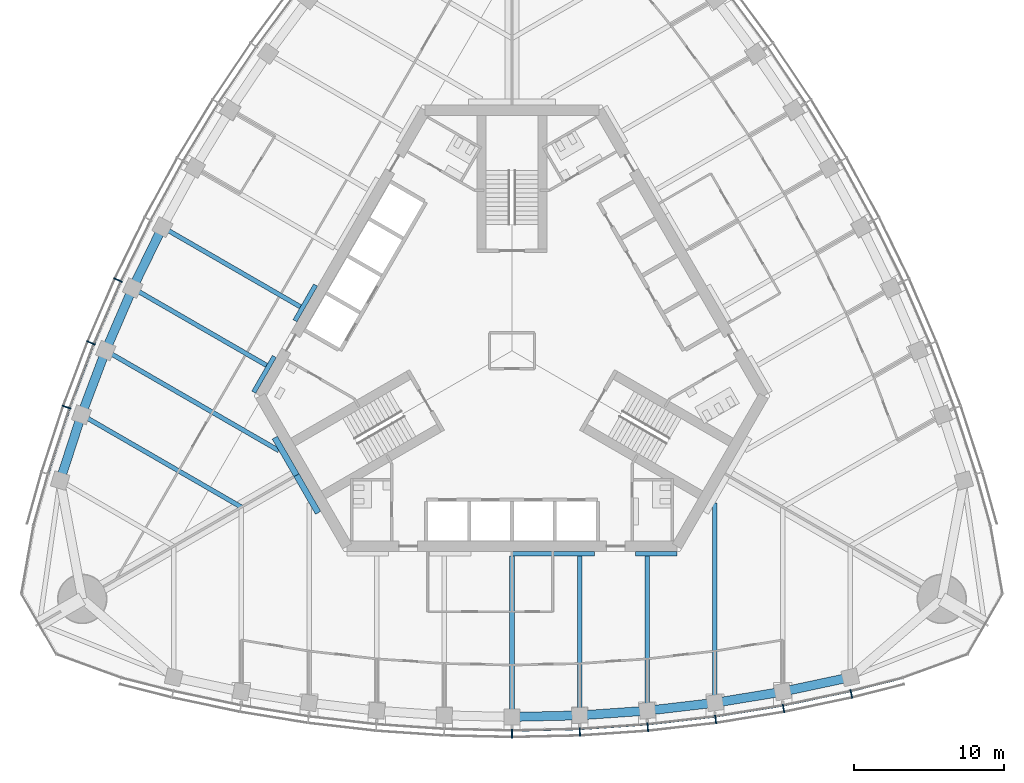
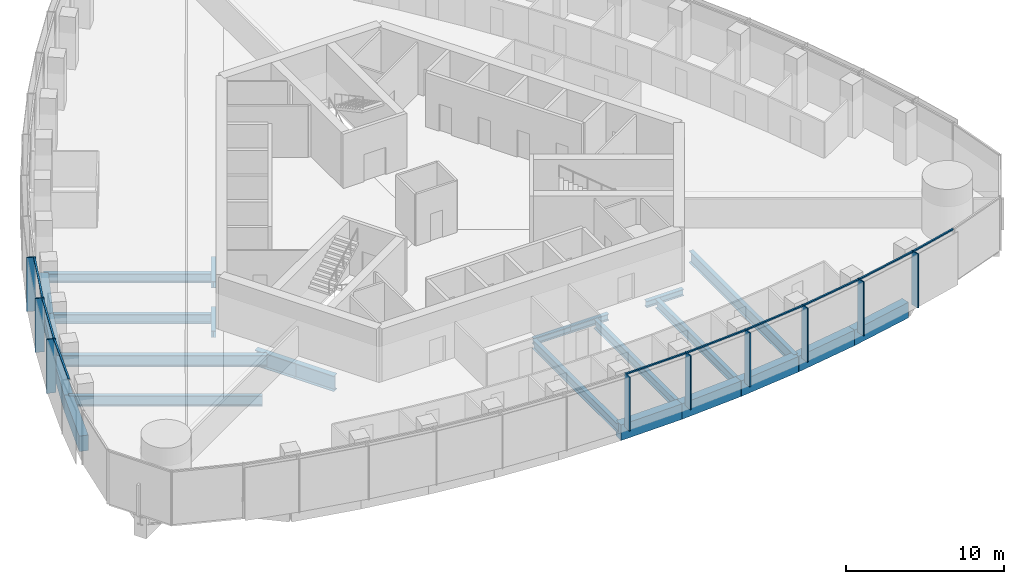
# One storey, part 3 of 20: 24 beams, 18 members, 2 elements without a shape of their own.
"""IFC4 building model written with IfcOpenShell, lengths in metres."""

from ifc_helpers import new_model, si_unit, direction, frame, origin, origin_2d, place, context, subcontext, project, spatial, rectangle, i_section, extrude, material, material_profile, profile_set, type_object, element, aggregate, save


model = new_model("IFC4")

# Units and contexts
model_context = context("Model", 3, precision=1e-05, world=origin(), true_north=direction((0.0, 1.0)))
body_context = subcontext(model_context, "Body", "Model", "MODEL_VIEW")
ifc_project = project(units=[si_unit("LENGTHUNIT", "METRE"), si_unit("AREAUNIT", "SQUARE_METRE"), si_unit("VOLUMEUNIT", "CUBIC_METRE"), si_unit("PLANEANGLEUNIT", "RADIAN"), si_unit("MASSUNIT", "GRAM", prefix="KILO")], contexts=[model_context])

# Site, building, storey
site_placement = place(None, origin())
site = spatial("IfcSite", under=ifc_project, at=site_placement, CompositionType="ELEMENT")
building_placement = place(site_placement, origin())
building = spatial("IfcBuilding", under=site, at=building_placement, Name="Trefoil Bronze Tower", CompositionType="ELEMENT")
storey_placement = place(building_placement, frame((0.0, 0.0, 231.699951171875)))
storey = spatial("IfcBuildingStorey", under=building, at=storey_placement, Name="L53", CompositionType="ELEMENT", Elevation=231.699951171875)

# Curtain wall, members
ifc_material_1 = material(Name="Tinted solar-control glass", Category="glass")
curtain_wall_type = type_object("IfcCurtainWallType", Name="Bronze office curtain wall", PredefinedType="USERDEFINED", material=ifc_material_1)
curtain_wall_1_placement = place(storey_placement, origin())
curtain_wall_1 = element("IfcCurtainWall", 1, at=curtain_wall_1_placement, inside=storey, type_object=curtain_wall_type, Name="CW-A L53 F1", ObjectType="CURTAIN WALL", PredefinedType="USERDEFINED")
ifc_material_2 = material(Name="Bronze-finish aluminium", Category="aluminium")
ifc_material_profile_1 = material_profile(ifc_material_2, rectangle(XDim=0.60009765625, YDim=0.080078125, at=origin_2d()), Name="CW-A mullion")
ifc_profile_set_1 = profile_set([ifc_material_profile_1], Name="Bronze-finish aluminium")
member_type_1 = type_object("IfcMemberType", Name="Bronze office curtain wall mullion", PredefinedType="MULLION", material=ifc_profile_set_1)
member_1_placement = place(storey_placement, frame((0.0, -25.45068359375, 0.0), z_axis=(0.0, 0.0, 1.0), x_axis=(0.0, 1.0, 0.0)))
member_1 = element("IfcMember", 2, at=member_1_placement, type_object=member_type_1, Name="CW-A L53 F1 mullion 7", PredefinedType="MULLION", context=body_context, shape_type="SweptSolid", body=[
    extrude(rectangle(XDim=0.60009765625, YDim=0.080078125, at=origin_2d()), origin(), (0.0, 0.0, 1.0), 4.179931640625),
])
member_2_placement = place(storey_placement, frame((4.513671875, -25.346923828125, 0.0), z_axis=(0.0, 0.0, 1.0), x_axis=(-0.045955542372, 0.998943485952, 0.0)))
member_2 = element("IfcMember", 3, at=member_2_placement, type_object=member_type_1, Name="CW-A L53 F1 mullion 8", PredefinedType="MULLION", context=body_context, shape_type="SweptSolid", body=[
    extrude(rectangle(XDim=0.60009765625, YDim=0.080078125, at=origin_2d()), origin(), (0.0, 0.0, 1.0), 4.179931640625),
])
member_3_placement = place(storey_placement, frame((9.027587890625, -25.03515625, 0.0), z_axis=(0.0, 0.0, 1.0), x_axis=(-0.091911396394, 0.995767189263, 0.0)))
member_3 = element("IfcMember", 4, at=member_3_placement, type_object=member_type_1, Name="CW-A L53 F1 mullion 9", PredefinedType="MULLION", context=body_context, shape_type="SweptSolid", body=[
    extrude(rectangle(XDim=0.60009765625, YDim=0.080078125, at=origin_2d()), origin(), (0.0, 0.0, 1.0), 4.179931640625),
])
member_4_placement = place(storey_placement, frame((13.541259765625, -24.51318359375, 0.0), z_axis=(0.0, 0.0, 1.0), x_axis=(-0.137867887204, 0.990450627582, 0.0)))
member_4 = element("IfcMember", 5, at=member_4_placement, type_object=member_type_1, Name="CW-A L53 F1 mullion 10", PredefinedType="MULLION", context=body_context, shape_type="SweptSolid", body=[
    extrude(rectangle(XDim=0.60009765625, YDim=0.080078125, at=origin_2d()), origin(), (0.0, 0.0, 1.0), 4.179931640625),
])
member_5_placement = place(storey_placement, frame((18.05517578125, -23.77783203125, 0.0), z_axis=(0.0, 0.0, 1.0), x_axis=(-0.183825368167, 0.982958917767, 0.0)))
member_5 = element("IfcMember", 6, at=member_5_placement, type_object=member_type_1, Name="CW-A L53 F1 mullion 11", PredefinedType="MULLION", context=body_context, shape_type="SweptSolid", body=[
    extrude(rectangle(XDim=0.60009765625, YDim=0.080078125, at=origin_2d()), origin(), (0.0, 0.0, 1.0), 4.179931640625),
])
member_6_placement = place(storey_placement, frame((22.568115234375, -22.82421875, 0.0), z_axis=(0.0, 0.0, 1.0), x_axis=(-0.227082662569, 0.973875487093, 0.0)))
member_6 = element("IfcMember", 7, at=member_6_placement, type_object=member_type_1, Name="CW-A L53 F1 mullion 12", PredefinedType="MULLION", context=body_context, shape_type="SweptSolid", body=[
    extrude(rectangle(XDim=0.60009765625, YDim=0.080078125, at=origin_2d()), origin(), (0.0, 0.0, 1.0), 4.179931640625),
])

curtain_wall_2_placement = place(storey_placement, origin())
curtain_wall_2 = element("IfcCurtainWall", 8, at=curtain_wall_2_placement, inside=storey, type_object=curtain_wall_type, Name="CW-A L53 F3", ObjectType="CURTAIN WALL", PredefinedType="USERDEFINED")
member_7_placement = place(storey_placement, frame((-26.19482421875, 4.699462890625, 0.0), z_axis=(0.0, 0.0, 1.0), x_axis=(0.908315380354, -0.418285990457, 0.0)))
member_7 = element("IfcMember", 9, at=member_7_placement, type_object=member_type_1, Name="CW-A L53 F3 mullion 9", PredefinedType="MULLION", context=body_context, shape_type="SweptSolid", body=[
    extrude(rectangle(XDim=0.60009765625, YDim=0.080078125, at=origin_2d()), origin(), (0.0, 0.0, 1.0), 4.179931640625),
])
member_8_placement = place(storey_placement, frame((-27.999755859375, 0.529541015625, 0.0), z_axis=(0.0, 0.0, 1.0), x_axis=(0.926689348282, -0.375828221106, 0.0)))
member_8 = element("IfcMember", 10, at=member_8_placement, type_object=member_type_1, Name="CW-A L53 F3 mullion 10", PredefinedType="MULLION", context=body_context, shape_type="SweptSolid", body=[
    extrude(rectangle(XDim=0.60009765625, YDim=0.080078125, at=origin_2d()), origin(), (0.0, 0.0, 1.0), 4.179931640625),
])
member_9_placement = place(storey_placement, frame((-29.619873046875, -3.747314453125, 0.0), z_axis=(0.0, 0.0, 1.0), x_axis=(0.943180077746, -0.332282020191, 0.0)))
member_9 = element("IfcMember", 11, at=member_9_placement, type_object=member_type_1, Name="CW-A L53 F3 mullion 11", PredefinedType="MULLION", context=body_context, shape_type="SweptSolid", body=[
    extrude(rectangle(XDim=0.60009765625, YDim=0.080078125, at=origin_2d()), origin(), (0.0, 0.0, 1.0), 4.179931640625),
])

# Member
ifc_material_3 = material(Name="Bronze-finish aluminium", Category="aluminium")
ifc_material_profile_2 = material_profile(ifc_material_3, rectangle(XDim=0.1201171875, YDim=0.10009765625, at=origin_2d()), Name="CW-A transom")
ifc_profile_set_2 = profile_set([ifc_material_profile_2], Name="Bronze-finish aluminium")
member_type_2 = type_object("IfcMemberType", Name="Bronze office curtain wall transom", PredefinedType="USERDEFINED", material=ifc_profile_set_2)
member_10_placement = place(storey_placement, frame((0.042236328125, -25.249755859375, 4.130126953125), z_axis=(0.999736131416, 0.022971015226, 0.0), x_axis=(-0.022971015226, 0.999736131416, 0.0)))
member_10 = element("IfcMember", 12, at=member_10_placement, type_object=member_type_2, Name="CW-A L53 F1 transom 7", ObjectType="TRANSOM", PredefinedType="USERDEFINED", context=body_context, shape_type="SweptSolid", body=[
    extrude(rectangle(XDim=0.1201171875, YDim=0.10009765625, at=origin_2d()), origin(), (0.0, 0.0, 1.0), 4.42138671875),
])

member_11_placement = place(storey_placement, frame((4.546875, -25.144287109375, 4.130126953125), z_axis=(0.997621320987, 0.06893257512, 0.0), x_axis=(-0.06893257512, 0.997621320987, 0.0)))
member_11 = element("IfcMember", 13, at=member_11_placement, type_object=member_type_2, Name="CW-A L53 F1 transom 8", ObjectType="TRANSOM", PredefinedType="USERDEFINED", context=body_context, shape_type="SweptSolid", body=[
    extrude(rectangle(XDim=0.1201171875, YDim=0.10009765625, at=origin_2d()), origin(), (0.0, 0.0, 1.0), 4.4306640625),
])

member_12_placement = place(storey_placement, frame((9.05126953125, -24.8310546875, 4.130126953125), z_axis=(0.993384885596, 0.114832352013, 0.0), x_axis=(-0.114832352013, 0.993384885596, 0.0)))
member_12 = element("IfcMember", 14, at=member_12_placement, type_object=member_type_2, Name="CW-A L53 F1 transom 9", ObjectType="TRANSOM", PredefinedType="USERDEFINED", context=body_context, shape_type="SweptSolid", body=[
    extrude(rectangle(XDim=0.1201171875, YDim=0.10009765625, at=origin_2d()), origin(), (0.0, 0.0, 1.0), 4.449951171875),
])

member_13_placement = place(storey_placement, frame((13.5556640625, -24.308349609375, 4.130126953125), z_axis=(0.986988367046, 0.160791676761, 0.0), x_axis=(-0.160791676761, 0.986988367046, 0.0)))
member_13 = element("IfcMember", 15, at=member_13_placement, type_object=member_type_2, Name="CW-A L53 F1 transom 10", ObjectType="TRANSOM", PredefinedType="USERDEFINED", context=body_context, shape_type="SweptSolid", body=[
    extrude(rectangle(XDim=0.1201171875, YDim=0.10009765625, at=origin_2d()), origin(), (0.0, 0.0, 1.0), 4.479248046875),
])

member_14_placement = place(storey_placement, frame((18.059814453125, -23.572509765625, 4.130126953125), z_axis=(0.978395325657, 0.20674280334, 0.0), x_axis=(-0.20674280334, 0.978395325657, 0.0)))
member_14 = element("IfcMember", 16, at=member_14_placement, type_object=member_type_2, Name="CW-A L53 F1 transom 11", ObjectType="TRANSOM", PredefinedType="USERDEFINED", context=body_context, shape_type="SweptSolid", body=[
    extrude(rectangle(XDim=0.1201171875, YDim=0.10009765625, at=origin_2d()), origin(), (0.0, 0.0, 1.0), 4.519287109375),
])

member_15_placement = place(storey_placement, frame((22.5634765625, -22.618896484375, 4.130126953125), z_axis=(0.968935220916, 0.247314653162, 0.0), x_axis=(-0.247314653162, 0.968935220916, 0.0)))
member_15 = element("IfcMember", 17, at=member_15_placement, type_object=member_type_2, Name="CW-A L53 F1 transom 12", ObjectType="TRANSOM", PredefinedType="USERDEFINED", context=body_context, shape_type="SweptSolid", body=[
    extrude(rectangle(XDim=0.1201171875, YDim=0.10009765625, at=origin_2d()), origin(), (0.0, 0.0, 1.0), 3.483642578125),
])

aggregate(curtain_wall_1, [member_1, member_2, member_3, member_4, member_5, member_6, member_10, member_11, member_12, member_13, member_14, member_15])

member_16_placement = place(storey_placement, frame((-26.030029296875, 4.576904296875, 4.130126953125), z_axis=(-0.397220936772, -0.917723012346, 0.0), x_axis=(0.917723012346, -0.397220936772, 0.0)))
member_16 = element("IfcMember", 18, at=member_16_placement, type_object=member_type_2, Name="CW-A L53 F3 transom 9", ObjectType="TRANSOM", PredefinedType="USERDEFINED", context=body_context, shape_type="SweptSolid", body=[
    extrude(rectangle(XDim=0.1201171875, YDim=0.10009765625, at=origin_2d()), origin(), (0.0, 0.0, 1.0), 4.449951171875),
])

member_17_placement = place(storey_placement, frame((-27.829345703125, 0.414794921875, 4.130126953125), z_axis=(-0.354263170896, -0.935145767112, 0.0), x_axis=(0.935145767112, -0.354263170896, 0.0)))
member_17 = element("IfcMember", 19, at=member_17_placement, type_object=member_type_2, Name="CW-A L53 F3 transom 10", ObjectType="TRANSOM", PredefinedType="USERDEFINED", context=body_context, shape_type="SweptSolid", body=[
    extrude(rectangle(XDim=0.1201171875, YDim=0.10009765625, at=origin_2d()), origin(), (0.0, 0.0, 1.0), 4.4794921875),
])

member_18_placement = place(storey_placement, frame((-29.4443359375, -3.85400390625, 4.130126953125), z_axis=(-0.310127806788, -0.950694874004, 0.0), x_axis=(0.950694874004, -0.310127806788, 0.0)))
member_18 = element("IfcMember", 20, at=member_18_placement, type_object=member_type_2, Name="CW-A L53 F3 transom 11", ObjectType="TRANSOM", PredefinedType="USERDEFINED", context=body_context, shape_type="SweptSolid", body=[
    extrude(rectangle(XDim=0.1201171875, YDim=0.10009765625, at=origin_2d()), origin(), (0.0, 0.0, 1.0), 4.51953125),
])

aggregate(curtain_wall_2, [member_7, member_8, member_9, member_16, member_17, member_18])

# Beams
ifc_material_4 = material(Name="Steel C355", Category="steel")
ifc_material_profile_3 = material_profile(ifc_material_4, i_section(OverallWidth=0.300048828125, OverallDepth=0.5, WebThickness=0.014404296875, FlangeThickness=0.028076171875, FilletRadius=0.027099609375, at=origin_2d()), Name="HEB 500")
ifc_profile_set_3 = profile_set([ifc_material_profile_3], Name="Steel C355")
beam_type_1 = type_object("IfcBeamType", Name="Core seat beam HEB 500", PredefinedType="BEAM", material=ifc_profile_set_3)
for number, where, z_axis, x_axis, name in (
    (21, (0.0, -13.5, -0.449951171875), (1.0, 0.0, 0.0), (0.0, 1.0, 0.0), "Core seat beam F1/+0 L53"),
    (22, (2.742431640625, -13.5, -0.449951171875), (1.0, 0.0, 0.0), (0.0, 1.0, 0.0), "Core seat beam F1/+1 L53"),
    (23, (8.227294921875, -13.5, -0.449951171875), (1.0, 0.0, 0.0), (0.0, 1.0, 0.0), "Core seat beam F1/+2 L53"),
    (24, (-13.0625, 4.375, -0.449951171875), (-0.500035825175, -0.866004719122, 0.0), (0.866004719122, -0.500035825175, 0.0), "Core seat beam F3/+1 L53"),
    (25, (-15.804931640625, -0.375, -0.449951171875), (-0.500035825175, -0.866004719122, 0.0), (0.866004719122, -0.500035825175, 0.0), "Core seat beam F3/+2 L53"),
):
    element("IfcBeam", number, at=place(storey_placement, frame(where, z_axis=z_axis, x_axis=x_axis)), inside=storey, type_object=beam_type_1, Name=name, PredefinedType="BEAM", context=body_context, shape_type="SweptSolid", body=[
        extrude(i_section(OverallWidth=0.300048828125, OverallDepth=0.5, WebThickness=0.014404296875, FlangeThickness=0.028076171875, FilletRadius=0.027099609375, at=origin_2d()), origin(), (0.0, 0.0, 1.0), 2.742431640625),
    ])
ifc_material_5 = material(Name="Steel C355", Category="steel")
ifc_material_profile_4 = material_profile(ifc_material_5, i_section(OverallWidth=0.39990234375, OverallDepth=1.199951171875, WebThickness=0.02001953125, FlangeThickness=0.0400390625, FilletRadius=0.010009765625, at=origin_2d()), Name="WPG 1200")
ifc_profile_set_4 = profile_set([ifc_material_profile_4], Name="Steel C355")
beam_type_2 = type_object("IfcBeamType", Name="Core seat beam WPG 1200", PredefinedType="BEAM", material=ifc_profile_set_4)
for number, where, z_axis, x_axis, name in (
    (26, (-14.332763671875, -8.27490234375, -0.800048828125), (0.499995765644, -0.866027848477, 0.0), (0.866027848477, 0.499995765644, 0.0), "Core seat beam F1/-3 L53"),
    (27, (-15.776123046875, -5.77490234375, -0.800048828125), (0.499995765644, -0.866027848477, 0.0), (0.866027848477, 0.499995765644, 0.0), "Core seat beam F3/+3 L53"),
):
    element("IfcBeam", number, at=place(storey_placement, frame(where, z_axis=z_axis, x_axis=x_axis)), inside=storey, type_object=beam_type_2, Name=name, PredefinedType="BEAM", context=body_context, shape_type="SweptSolid", body=[
        extrude(i_section(OverallWidth=0.39990234375, OverallDepth=1.199951171875, WebThickness=0.02001953125, FlangeThickness=0.0400390625, FilletRadius=0.010009765625, at=origin_2d()), origin(), (0.0, 0.0, 1.0), 2.88671875),
    ])
ifc_material_6 = material(Name="Steel C355", Category="steel")
ifc_material_profile_5 = material_profile(ifc_material_6, i_section(OverallWidth=0.300048828125, OverallDepth=0.699951171875, WebThickness=0.01708984375, FlangeThickness=0.031982421875, FilletRadius=0.027099609375, at=origin_2d()), Name="HEB 700")
ifc_profile_set_5 = profile_set([ifc_material_profile_5], Name="Steel C355")
beam_type_3 = type_object("IfcBeamType", Name="Floor beam HEB 700", PredefinedType="BEAM", material=ifc_profile_set_5)
beam_1_placement = place(storey_placement, frame((0.0, -24.3505859375, -0.550048828125), z_axis=(0.0, 1.0, 0.0), x_axis=(-1.0, 0.0, 0.0)))
element("IfcBeam", 28, at=beam_1_placement, inside=storey, type_object=beam_type_3, Name="Floor beam F1/+0 L53", PredefinedType="BEAM", context=body_context, shape_type="SweptSolid", body=[
    extrude(i_section(OverallWidth=0.300048828125, OverallDepth=0.699951171875, WebThickness=0.01708984375, FlangeThickness=0.031982421875, FilletRadius=0.027099609375, at=origin_2d()), origin(), (0.0, 0.0, 1.0), 10.70068359375),
])
beam_2_placement = place(storey_placement, frame((4.5, -24.246337890625, -0.550048828125), z_axis=(0.0, 1.0, 0.0), x_axis=(-1.0, 0.0, 0.0)))
element("IfcBeam", 29, at=beam_2_placement, inside=storey, type_object=beam_type_3, Name="Floor beam F1/+1 L53", PredefinedType="BEAM", context=body_context, shape_type="SweptSolid", body=[
    extrude(i_section(OverallWidth=0.300048828125, OverallDepth=0.699951171875, WebThickness=0.01708984375, FlangeThickness=0.031982421875, FilletRadius=0.027099609375, at=origin_2d()), origin(), (0.0, 0.0, 1.0), 10.596435546875),
])
beam_3_placement = place(storey_placement, frame((9.0, -23.932861328125, -0.550048828125), z_axis=(0.0, 1.0, 0.0), x_axis=(-1.0, 0.0, 0.0)))
element("IfcBeam", 30, at=beam_3_placement, inside=storey, type_object=beam_type_3, Name="Floor beam F1/+2 L53", PredefinedType="BEAM", context=body_context, shape_type="SweptSolid", body=[
    extrude(i_section(OverallWidth=0.300048828125, OverallDepth=0.699951171875, WebThickness=0.01708984375, FlangeThickness=0.031982421875, FilletRadius=0.027099609375, at=origin_2d()), origin(), (0.0, 0.0, 1.0), 10.282958984375),
])
beam_4_placement = place(storey_placement, frame((-23.248046875, 8.22607421875, -0.550048828125), z_axis=(0.86602981261, -0.499992363612, 0.0), x_axis=(0.499992363612, 0.86602981261, 0.0)))
element("IfcBeam", 31, at=beam_4_placement, inside=storey, type_object=beam_type_3, Name="Floor beam F3/+1 L53", PredefinedType="BEAM", context=body_context, shape_type="SweptSolid", body=[
    extrude(i_section(OverallWidth=0.300048828125, OverallDepth=0.699951171875, WebThickness=0.01708984375, FlangeThickness=0.031982421875, FilletRadius=0.027099609375, at=origin_2d()), origin(), (0.0, 0.0, 1.0), 10.596435546875),
])
beam_5_placement = place(storey_placement, frame((-25.2265625, 4.17236328125, -0.550048828125), z_axis=(0.866019527493, -0.500010177898, 0.0), x_axis=(0.500010177898, 0.866019527493, 0.0)))
element("IfcBeam", 32, at=beam_5_placement, inside=storey, type_object=beam_type_3, Name="Floor beam F3/+2 L53", PredefinedType="BEAM", context=body_context, shape_type="SweptSolid", body=[
    extrude(i_section(OverallWidth=0.300048828125, OverallDepth=0.699951171875, WebThickness=0.01708984375, FlangeThickness=0.031982421875, FilletRadius=0.027099609375, at=origin_2d()), origin(), (0.0, 0.0, 1.0), 10.282958984375),
])
ifc_material_7 = material(Name="Steel C355", Category="steel")
ifc_material_profile_6 = material_profile(ifc_material_7, i_section(OverallWidth=0.300048828125, OverallDepth=0.800048828125, WebThickness=0.017578125, FlangeThickness=0.032958984375, FilletRadius=0.030029296875, at=origin_2d()), Name="HEB 800")
ifc_profile_set_6 = profile_set([ifc_material_profile_6], Name="Steel C355")
beam_type_4 = type_object("IfcBeamType", Name="Floor beam HEB 800", PredefinedType="BEAM", material=ifc_profile_set_6)
beam_6_placement = place(storey_placement, frame((-28.632080078125, -4.25390625, -0.599853515625), z_axis=(0.866025635187, -0.499999599199, 0.0), x_axis=(0.499999599199, 0.866025635187, 0.0)))
element("IfcBeam", 33, at=beam_6_placement, inside=storey, type_object=beam_type_4, Name="Floor beam F3/+4 L53", PredefinedType="BEAM", context=body_context, shape_type="SweptSolid", body=[
    extrude(i_section(OverallWidth=0.300048828125, OverallDepth=0.800048828125, WebThickness=0.017578125, FlangeThickness=0.032958984375, FilletRadius=0.030029296875, at=origin_2d()), origin(), (0.0, 0.0, 1.0), 12.27685546875),
])
ifc_material_8 = material(Name="Steel C355", Category="steel")
ifc_material_profile_7 = material_profile(ifc_material_8, i_section(OverallWidth=0.300048828125, OverallDepth=0.89990234375, WebThickness=0.0185546875, FlangeThickness=0.034912109375, FilletRadius=0.030029296875, at=origin_2d()), Name="HEB 900")
ifc_profile_set_7 = profile_set([ifc_material_profile_7], Name="Steel C355")
beam_type_5 = type_object("IfcBeamType", Name="Floor beam HEB 900", PredefinedType="BEAM", material=ifc_profile_set_7)
for number, where, z_axis, x_axis, name in (
    (34, (13.5, -23.408447265625, -0.64990234375), (0.0, 1.0, 0.0), (-1.0, 0.0, 0.0), "Floor beam F1/+3 L53"),
    (35, (-27.022216796875, 0.012939453125, -0.64990234375), (0.866023461342, -0.500003364394, 0.0), (0.500003364394, 0.866023461342, 0.0), "Floor beam F3/+3 L53"),
):
    element("IfcBeam", number, at=place(storey_placement, frame(where, z_axis=z_axis, x_axis=x_axis)), inside=storey, type_object=beam_type_5, Name=name, PredefinedType="BEAM", context=body_context, shape_type="SweptSolid", body=[
        extrude(i_section(OverallWidth=0.300048828125, OverallDepth=0.89990234375, WebThickness=0.0185546875, FlangeThickness=0.034912109375, FilletRadius=0.030029296875, at=origin_2d()), origin(), (0.0, 0.0, 1.0), 13.291015625),
    ])
ifc_material_9 = material(Name="Concrete B80", Category="concrete")
ifc_material_profile_8 = material_profile(ifc_material_9, rectangle(XDim=0.60009765625, YDim=1.199951171875, at=origin_2d()), Name="RC 600x1200")
ifc_profile_set_8 = profile_set([ifc_material_profile_8], Name="Concrete B80")
beam_type_6 = type_object("IfcBeamType", Name="Spandrel beam RC 600x1200", PredefinedType="SPANDREL", material=ifc_profile_set_8)
beam_7_placement = place(storey_placement, frame((0.0, -24.3505859375, -0.800048828125), z_axis=(0.999731770792, 0.023160018779, 0.0), x_axis=(-0.023160018779, 0.999731770792, 0.0)))
element("IfcBeam", 36, at=beam_7_placement, inside=storey, type_object=beam_type_6, Name="Spandrel F1.7 L53", PredefinedType="SPANDREL", context=body_context, shape_type="SweptSolid", body=[
    extrude(rectangle(XDim=0.60009765625, YDim=1.199951171875, at=origin_2d()), origin(), (0.0, 0.0, 1.0), 4.501220703125),
])
beam_8_placement = place(storey_placement, frame((4.5, -24.246337890625, -0.800048828125), z_axis=(0.997582435881, 0.069493047291, 0.0), x_axis=(-0.069493047291, 0.997582435881, 0.0)))
element("IfcBeam", 37, at=beam_8_placement, inside=storey, type_object=beam_type_6, Name="Spandrel F1.8 L53", PredefinedType="SPANDREL", context=body_context, shape_type="SweptSolid", body=[
    extrude(rectangle(XDim=0.60009765625, YDim=1.199951171875, at=origin_2d()), origin(), (0.0, 0.0, 1.0), 4.510986328125),
])
beam_9_placement = place(storey_placement, frame((9.0, -23.932861328125, -0.800048828125), z_axis=(0.993278017132, 0.115753102257, 0.0), x_axis=(-0.115753102257, 0.993278017132, 0.0)))
element("IfcBeam", 38, at=beam_9_placement, inside=storey, type_object=beam_type_6, Name="Spandrel F1.9 L53", PredefinedType="SPANDREL", context=body_context, shape_type="SweptSolid", body=[
    extrude(rectangle(XDim=0.60009765625, YDim=1.199951171875, at=origin_2d()), origin(), (0.0, 0.0, 1.0), 4.530517578125),
])
beam_10_placement = place(storey_placement, frame((13.5, -23.408447265625, -0.800048828125), z_axis=(0.986764681833, 0.162158757664, 0.0), x_axis=(-0.162158757664, 0.986764681833, 0.0)))
element("IfcBeam", 39, at=beam_10_placement, inside=storey, type_object=beam_type_6, Name="Spandrel F1.10 L53", PredefinedType="SPANDREL", context=body_context, shape_type="SweptSolid", body=[
    extrude(rectangle(XDim=0.60009765625, YDim=1.199951171875, at=origin_2d()), origin(), (0.0, 0.0, 1.0), 4.560302734375),
])
beam_11_placement = place(storey_placement, frame((18.0, -22.6689453125, -0.800048828125), z_axis=(0.978059483036, 0.208325820877, 0.0), x_axis=(-0.208325820877, 0.978059483036, 0.0)))
element("IfcBeam", 40, at=beam_11_placement, inside=storey, type_object=beam_type_6, Name="Spandrel F1.11 L53", PredefinedType="SPANDREL", context=body_context, shape_type="SweptSolid", body=[
    extrude(rectangle(XDim=0.60009765625, YDim=1.199951171875, at=origin_2d()), origin(), (0.0, 0.0, 1.0), 4.600830078125),
])
beam_12_placement = place(storey_placement, frame((-23.248046875, 8.22607421875, -0.800048828125), z_axis=(-0.438619830351, -0.898672712629, 0.0), x_axis=(0.898672712629, -0.438619830351, 0.0)))
element("IfcBeam", 41, at=beam_12_placement, inside=storey, type_object=beam_type_6, Name="Spandrel F3.8 L53", PredefinedType="SPANDREL", context=body_context, shape_type="SweptSolid", body=[
    extrude(rectangle(XDim=0.60009765625, YDim=1.199951171875, at=origin_2d()), origin(), (0.0, 0.0, 1.0), 4.5107421875),
])
beam_13_placement = place(storey_placement, frame((-25.2265625, 4.17236328125, -0.800048828125), z_axis=(-0.396350337164, -0.918099346602, 0.0), x_axis=(0.918099346602, -0.396350337164, 0.0)))
element("IfcBeam", 42, at=beam_13_placement, inside=storey, type_object=beam_type_6, Name="Spandrel F3.9 L53", PredefinedType="SPANDREL", context=body_context, shape_type="SweptSolid", body=[
    extrude(rectangle(XDim=0.60009765625, YDim=1.199951171875, at=origin_2d()), origin(), (0.0, 0.0, 1.0), 4.530517578125),
])
beam_14_placement = place(storey_placement, frame((-27.022216796875, 0.012939453125, -0.800048828125), z_axis=(-0.353005969632, -0.935621069346, 0.0), x_axis=(0.935621069346, -0.353005969632, 0.0)))
element("IfcBeam", 43, at=beam_14_placement, inside=storey, type_object=beam_type_6, Name="Spandrel F3.10 L53", PredefinedType="SPANDREL", context=body_context, shape_type="SweptSolid", body=[
    extrude(rectangle(XDim=0.60009765625, YDim=1.199951171875, at=origin_2d()), origin(), (0.0, 0.0, 1.0), 4.560546875),
])
beam_15_placement = place(storey_placement, frame((-28.632080078125, -4.25390625, -0.800048828125), z_axis=(-0.308608505504, -0.951189145402, 0.0), x_axis=(0.951189145402, -0.308608505504, 0.0)))
element("IfcBeam", 44, at=beam_15_placement, inside=storey, type_object=beam_type_6, Name="Spandrel F3.11 L53", PredefinedType="SPANDREL", context=body_context, shape_type="SweptSolid", body=[
    extrude(rectangle(XDim=0.60009765625, YDim=1.199951171875, at=origin_2d()), origin(), (0.0, 0.0, 1.0), 4.60107421875),
])

save(model, "model.ifc")
